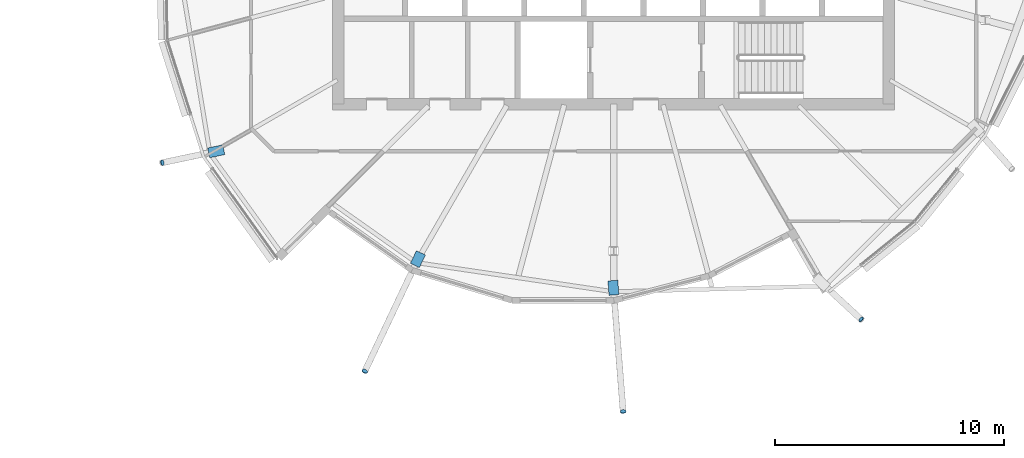
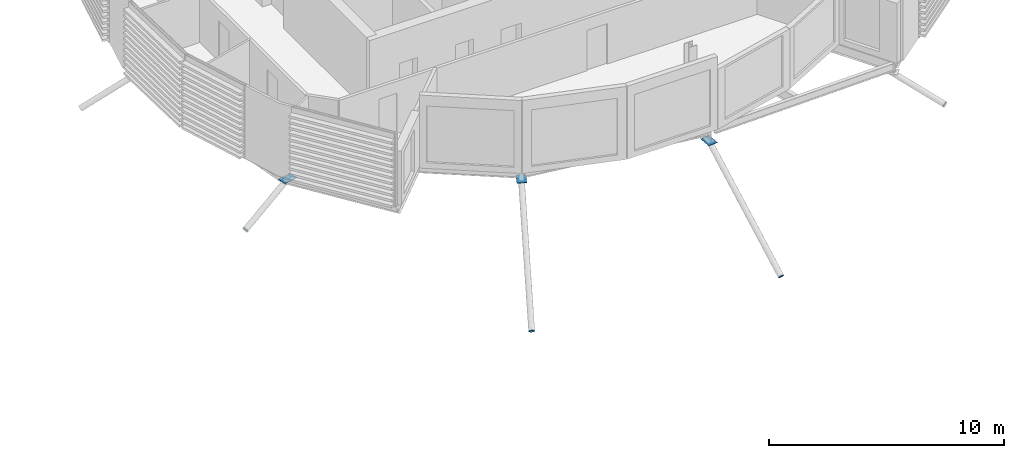
# One storey, part 26 of 35: 7 discrete accessories.
"""IFC4 building model written with IfcOpenShell, lengths in metres."""

from ifc_helpers import new_model, si_unit, direction, frame, origin, origin_2d, place, context, subcontext, project, spatial, polyline, rectangle, circle, outline, extrude, material, material_profile, profile_set, type_object, element, save


model = new_model("IFC4")

# Units and contexts
model_context = context("Model", 3, precision=1e-05, world=origin(), true_north=direction((0.0, 1.0)))
body_context = subcontext(model_context, "Body", "Model", "MODEL_VIEW")
ifc_project = project(units=[si_unit("LENGTHUNIT", "METRE"), si_unit("AREAUNIT", "SQUARE_METRE"), si_unit("VOLUMEUNIT", "CUBIC_METRE"), si_unit("PLANEANGLEUNIT", "RADIAN"), si_unit("MASSUNIT", "GRAM", prefix="KILO")], contexts=[model_context])

# Site, building, storey
site_placement = place(None, origin())
site = spatial("IfcSite", under=ifc_project, at=site_placement, CompositionType="ELEMENT")
building_placement = place(site_placement, origin())
building = spatial("IfcBuilding", under=site, at=building_placement, Name="Rimbun Link Towers", CompositionType="ELEMENT")
storey_placement = place(building_placement, frame((0.0, 0.0, 225.699951171875)))
storey = spatial("IfcBuildingStorey", under=building, at=storey_placement, Name="L55", CompositionType="ELEMENT", Elevation=225.699951171875)

# Discrete accessories
ifc_material_1 = material(Name="Steel S355J2H", Category="steel")
ifc_material_profile_1 = material_profile(ifc_material_1, circle(Radius=0.1240234375, at=origin_2d()), Name="PL D248")
ifc_profile_set_1 = profile_set([ifc_material_profile_1], Name="Steel S355J2H")
discrete_accessory_type_1 = type_object("IfcDiscreteAccessoryType", Name="Link foot sealing plate D248X20", PredefinedType="BRACKET", material=ifc_profile_set_1)
for number, where, z_axis, x_axis, name in (
    (1, (12.089599609375, -10.55078125, -2.015380859375), (-0.82553214119, -0.182102678204, -0.534167856064), (0.215409655911, -0.976523773464, 0.0), "Link foot sealing plate T2 L55 11"),
    (2, (20.90869140625, -19.6357421875, -4.88330078125), (-0.340427104461, -0.717328541542, -0.60790554368), (0.90342581024, -0.428744452317, 0.0), "Link foot sealing plate T2 L55 13"),
    (3, (32.16357421875, -21.390869140625, -4.916748046875), (0.061153215628, -0.807222446285, -0.587070870025), (0.997142688028, 0.075541112729, 0.0), "Link foot sealing plate T2 L55 15"),
):
    element("IfcDiscreteAccessory", number, at=place(storey_placement, frame(where, z_axis=z_axis, x_axis=x_axis)), inside=storey, type_object=discrete_accessory_type_1, Name=name, PredefinedType="BRACKET", context=body_context, shape_type="SweptSolid", body=[
        extrude(circle(Radius=0.1240234375, at=origin_2d()), origin(), (0.0, 0.0, 1.0), 0.02001953125),
    ])
discrete_accessory_1_placement = place(storey_placement, frame((42.52978515625, -17.376708984375, -2.02734375), z_axis=(0.639688180697, -0.590481397566, -0.492067831305), x_axis=(0.678280102733, 0.734803444627, 0.0)))
element("IfcDiscreteAccessory", 4, at=discrete_accessory_1_placement, inside=storey, type_object=discrete_accessory_type_1, Name="Link foot sealing plate T2 L55 17", PredefinedType="BRACKET", context=body_context, shape_type="SweptSolid", body=[
    extrude(circle(Radius=0.1240234375, at=origin_2d()), origin(), (0.0, 0.0, 1.0), 0.019775390625),
])
ifc_material_2 = material(Name="Steel S355J2H", Category="steel")
ifc_material_profile_2 = material_profile(ifc_material_2, rectangle(XDim=0.43310546875, YDim=0.43310546875, at=origin_2d()), Name="PL 433x433")
ifc_profile_set_2 = profile_set([ifc_material_profile_2], Name="Steel S355J2H")
discrete_accessory_type_2 = type_object("IfcDiscreteAccessoryType", Name="Link head end plate 433X20", PredefinedType="BRACKET", material=ifc_profile_set_2)
discrete_accessory_2_placement = place(storey_placement, frame((0.0, 0.0, -0.514892578125)))
element("IfcDiscreteAccessory", 5, at=discrete_accessory_2_placement, inside=storey, type_object=discrete_accessory_type_2, Name="Link head end plate T2 L55 11", PredefinedType="BRACKET", context=body_context, shape_type="SweptSolid", body=[
    extrude(outline(polyline([(14.713623046875, -9.772705078125), (14.0546875, -9.91259765625), (14.14453125, -10.336181640625), (14.8037109375, -10.1962890625), (14.713623046875, -9.772705078125)])), origin(), (0.0, 0.0, 1.0), 0.02001953125),
])
discrete_accessory_3_placement = place(storey_placement, frame((0.0, 0.0, -0.762451171875)))
element("IfcDiscreteAccessory", 6, at=discrete_accessory_3_placement, inside=storey, type_object=discrete_accessory_type_2, Name="Link head end plate T2 L55 13", PredefinedType="BRACKET", context=body_context, shape_type="SweptSolid", body=[
    extrude(outline(polyline([(23.154296875, -14.387939453125), (22.893310546875, -14.939208984375), (23.28466796875, -15.12451171875), (23.545654296875, -14.5732421875), (23.154296875, -14.387939453125)])), origin(), (0.0, 0.0, 1.0), 0.02001953125),
])
discrete_accessory_4_placement = place(storey_placement, frame((0.0, 0.0, -1.000732421875)))
element("IfcDiscreteAccessory", 7, at=discrete_accessory_4_placement, inside=storey, type_object=discrete_accessory_type_2, Name="Link head end plate T2 L55 15", PredefinedType="BRACKET", context=body_context, shape_type="SweptSolid", body=[
    extrude(outline(polyline([(31.499755859375, -15.70849609375), (31.548828125, -16.331787109375), (31.98046875, -16.2978515625), (31.931396484375, -15.674560546875), (31.499755859375, -15.70849609375)])), origin(), (0.0, 0.0, 1.0), 0.02001953125),
])

save(model, "model.ifc")
